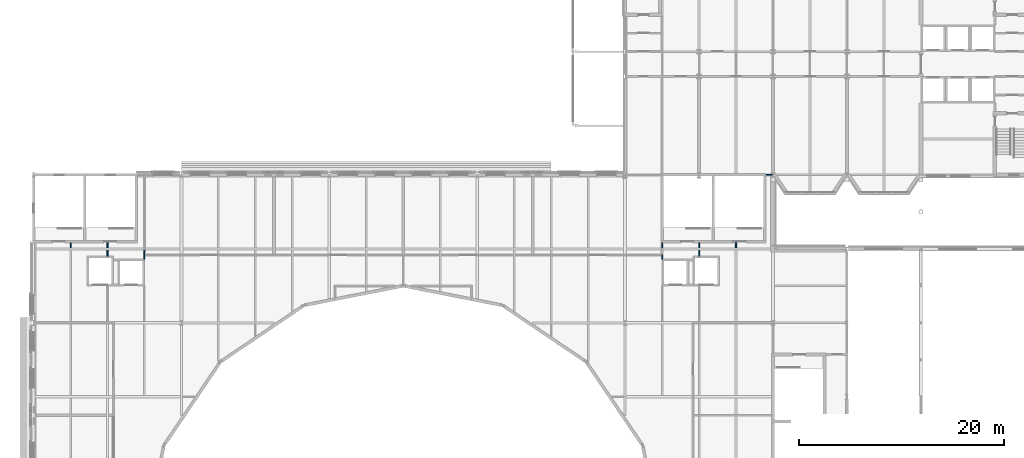
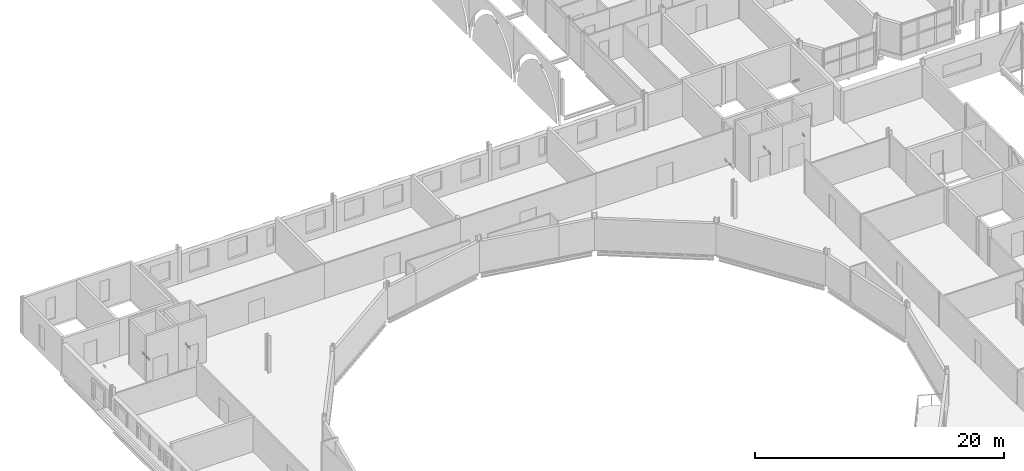
# One storey, part 82 of 142: 10 beams.
"""IFC4 building model written with IfcOpenShell, lengths in metres."""

import ifcopenshell
import ifcopenshell.guid

model = None  # the IFC model being written
_history = None  # IfcOwnerHistory: only IFC2X3 demands one
_inside = {}  # id of a spatial element -> (the spatial element, [elements in it])
_under = {}  # id of a project, library or spatial element -> (it, [spatial elements below it])
_declared = {}  # id of a project -> (the project, [libraries it declares])
_typed = {}  # id of a type object -> (the type object, [elements of that type])
_made_of = {}  # id of a material, layer set ... -> (it, [elements and type objects made of it])


def new_model(schema):
    """Start an empty IFC model of exactly this schema.

    Asked for "IFC4X3", IfcOpenShell would pick the latest addendum, in which some entities
    have other attributes; the version numbers below select the first issue.
    IFC2X3 requires an IfcOwnerHistory on every rooted entity: one is made here for all.
    """
    global model, _history
    if schema == "IFC4X3":
        model = ifcopenshell.file(schema_version=(4, 3, 0, 0))
    else:
        model = ifcopenshell.file(schema=schema)
    _inside.clear()
    _under.clear()
    _declared.clear()
    _typed.clear()
    _made_of.clear()
    _history = None
    if model.schema == "IFC2X3":
        org = make("IfcOrganization", Name="unknown")
        user = make(
            "IfcPersonAndOrganization",
            ThePerson=make("IfcPerson", FamilyName="unknown"),
            TheOrganization=org,
        )
        app = make(
            "IfcApplication",
            ApplicationDeveloper=org,
            Version="unknown",
            ApplicationFullName="unknown",
            ApplicationIdentifier="unknown",
        )
        _history = make(
            "IfcOwnerHistory",
            OwningUser=user,
            OwningApplication=app,
            ChangeAction="ADDED",
            CreationDate=0,
        )
    return model


def make(cls, **values):
    """One entity of the class cls with the attributes given. An attribute that is None is left unset."""
    return model.create_entity(
        cls, **{name: value for name, value in values.items() if value is not None}
    )


def rooted(cls, **values):
    """An entity with a GlobalId (a new one), such as an element, a storey or a relation."""
    return make(cls, GlobalId=ifcopenshell.guid.new(), OwnerHistory=_history, **values)


def si_unit(unit_type, name, prefix=None):
    """IfcSIUnit, for example si_unit("LENGTHUNIT", "METRE", prefix="MILLI")."""
    return make("IfcSIUnit", UnitType=unit_type, Prefix=prefix, Name=name)


def assignment(units):
    """IfcUnitAssignment: the units of a project."""
    return None if units is None else make("IfcUnitAssignment", Units=units)


def point(xyz):
    """IfcCartesianPoint."""
    return None if xyz is None else make("IfcCartesianPoint", Coordinates=xyz)


def direction(xyz):
    """IfcDirection."""
    return None if xyz is None else make("IfcDirection", DirectionRatios=xyz)


def frame(location, z_axis=None, x_axis=None):
    """IfcAxis2Placement3D, a coordinate frame: its origin and axes. An axis left out is left unset."""
    return make(
        "IfcAxis2Placement3D",
        Location=point(location),
        Axis=direction(z_axis),
        RefDirection=direction(x_axis),
    )


def frame_2d(location, x_axis=None):
    """IfcAxis2Placement2D, a coordinate frame in the plane: its origin and x axis."""
    return make(
        "IfcAxis2Placement2D", Location=point(location), RefDirection=direction(x_axis)
    )


def origin():
    """The frame at (0, 0, 0) with its axes left unset."""
    return frame((0.0, 0.0, 0.0))


def origin_2d():
    """The frame at (0, 0) in the plane with its x axis left unset."""
    return frame_2d((0.0, 0.0))


def place(relative_to, where):
    """IfcLocalPlacement: puts the frame where relative to a parent placement (None: the world)."""
    return make(
        "IfcLocalPlacement", PlacementRelTo=relative_to, RelativePlacement=where
    )


def context(
    kind, dimensions, precision=None, world=None, true_north=None, identifier=None
):
    """IfcGeometricRepresentationContext, for example the 3D "Model" context."""
    return make(
        "IfcGeometricRepresentationContext",
        ContextIdentifier=identifier,
        ContextType=kind,
        CoordinateSpaceDimension=dimensions,
        Precision=precision,
        WorldCoordinateSystem=world,
        TrueNorth=true_north,
    )


def subcontext(parent, identifier, kind, view, scale=None):
    """IfcGeometricRepresentationSubContext, for example "Body" below "Model"."""
    return make(
        "IfcGeometricRepresentationSubContext",
        ContextIdentifier=identifier,
        ContextType=kind,
        ParentContext=parent,
        TargetScale=scale,
        TargetView=view,
    )


def project(units=None, contexts=None):
    """IfcProject with its units and contexts."""
    return rooted(
        "IfcProject",
        Name="project",
        RepresentationContexts=contexts,
        UnitsInContext=assignment(units),
    )


def spatial(cls, under=None, at=None, **own):
    """A site, building, storey or space (cls), placed at a placement, below another one or the project."""
    s = rooted(cls, ObjectPlacement=at, **own)
    if under is not None:
        _under.setdefault(under.id(), (under, []))[1].append(s)
    return s


def profile(cls, at=None, kind="AREA", **sizes):
    """A parametric profile (cls). Its sizes go by their IFC names, for example OverallWidth=200.0."""
    return make(cls, ProfileType=kind, Position=at, **sizes)


def i_section(**sizes):
    """IfcIShapeProfileDef."""
    return profile("IfcIShapeProfileDef", **sizes)


def extrude(swept, where, along, depth):
    """IfcExtrudedAreaSolid: the profile swept, set in the frame where, extruded along a direction by depth."""
    return make(
        "IfcExtrudedAreaSolid",
        SweptArea=swept,
        Position=where,
        ExtrudedDirection=direction(along),
        Depth=depth,
    )


def shape(context_of_items, identifier, shape_type, items):
    """IfcShapeRepresentation: the items that make up one representation, for example the "Body"."""
    return make(
        "IfcShapeRepresentation",
        ContextOfItems=context_of_items,
        RepresentationIdentifier=identifier,
        RepresentationType=shape_type,
        Items=items,
    )


def material(Name=None, Category=None):
    """IfcMaterial."""
    return make("IfcMaterial", Name=Name, Category=Category)


def material_profile(
    of_material, cross_section, Name=None, Category=None, Priority=None
):
    """IfcMaterialProfile: a cross section and its material."""
    return make(
        "IfcMaterialProfile",
        Name=Name,
        Material=of_material,
        Profile=cross_section,
        Priority=Priority,
        Category=Category,
    )


def profile_set(profiles, Name=None, composite=None):
    """IfcMaterialProfileSet."""
    return make(
        "IfcMaterialProfileSet",
        Name=Name,
        MaterialProfiles=profiles,
        CompositeProfile=composite,
    )


def made_of(thing, what):
    """Note that an element or type object is made of a material, layer set ...; save() writes the relation."""
    if what is not None:
        _made_of.setdefault(what.id(), (what, []))[1].append(thing)
    return thing


def type_object(cls, material=None, **own):
    """A type object (cls), such as IfcWallType, which elements share."""
    return made_of(rooted(cls, **own), material)


def element(
    cls,
    number,
    at=None,
    inside=None,
    cuts=None,
    type_object=None,
    material=None,
    context=None,
    identifier="Body",
    shape_type=None,
    held_by="IfcProductDefinitionShape",
    body=None,
    shapes=None,
    **own,
):
    """One element of the class cls, such as IfcWall. Its Tag is "e" and its number.

    at: its placement. inside: the storey or other place that contains it. cuts: it is an
    opening in that element (IfcRelVoidsElement). A single representation is given by context,
    identifier, shape_type and body (its items); several are given by shapes. held_by: the class
    of the entity that holds the representations. save() writes the other relations.
    """
    e = rooted(cls, Tag="e%d" % number, ObjectPlacement=at, **own)
    if body is not None:
        shapes = [shape(context, identifier, shape_type, body)]
    if shapes is not None:
        e.Representation = make(held_by, Representations=shapes)
    if inside is not None:
        _inside.setdefault(inside.id(), (inside, []))[1].append(e)
    if cuts is not None:
        rooted(
            "IfcRelVoidsElement", RelatingBuildingElement=cuts, RelatedOpeningElement=e
        )
    if type_object is not None:
        _typed.setdefault(type_object.id(), (type_object, []))[1].append(e)
    return made_of(e, material)


def aggregate(whole, parts):
    """IfcRelAggregates: a whole, such as a stair, and the parts it consists of."""
    return rooted("IfcRelAggregates", RelatingObject=whole, RelatedObjects=parts)


def save(model, path):
    """Write the relations noted so far, then the file.

    IfcRelAggregates (storeys below a building ...), IfcRelContainedInSpatialStructure (elements
    in a storey), IfcRelDefinesByType, IfcRelAssociatesMaterial and IfcRelDeclares: one each for
    every whole, place, type object, material and project.
    """
    for whole, parts in _under.values():
        aggregate(whole, parts)
    for where, things in _inside.values():
        rooted(
            "IfcRelContainedInSpatialStructure",
            RelatedElements=things,
            RelatingStructure=where,
        )
    for kind, things in _typed.values():
        rooted("IfcRelDefinesByType", RelatedObjects=things, RelatingType=kind)
    for what, things in _made_of.values():
        rooted("IfcRelAssociatesMaterial", RelatedObjects=things, RelatingMaterial=what)
    for by, libraries in _declared.values():
        rooted("IfcRelDeclares", RelatingContext=by, RelatedDefinitions=libraries)
    model.write(path)


model = new_model("IFC4")

# Units and contexts
model_context = context("Model", 3, precision=1e-05, world=origin(), true_north=direction((0.0, 1.0)))
body_context = subcontext(model_context, "Body", "Model", "MODEL_VIEW")
ifc_project = project(units=[si_unit("LENGTHUNIT", "METRE"), si_unit("AREAUNIT", "SQUARE_METRE"), si_unit("VOLUMEUNIT", "CUBIC_METRE"), si_unit("PLANEANGLEUNIT", "RADIAN"), si_unit("MASSUNIT", "GRAM", prefix="KILO")], contexts=[model_context])

# Site, building, storey
site_placement = place(None, origin())
site = spatial("IfcSite", under=ifc_project, at=site_placement, CompositionType="ELEMENT")
building_placement = place(site_placement, origin())
building = spatial("IfcBuilding", under=site, at=building_placement, Name="Kupolbacken Congress Centre", CompositionType="ELEMENT")
storey_placement = place(building_placement, frame((0.0, 0.0, 14.39990234375)))
storey = spatial("IfcBuildingStorey", under=building, at=storey_placement, Name="L04", CompositionType="ELEMENT", Elevation=14.39990234375)

# Beams
ifc_material = material(Name="Steel S355", Category="steel")
ifc_material_profile = material_profile(ifc_material, i_section(OverallWidth=0.10009765625, OverallDepth=0.199951171875, WebThickness=0.005615234375, FlangeThickness=0.008544921875, FilletRadius=0.011962890625, at=origin_2d()), Name="IPE 200")
ifc_profile_set = profile_set([ifc_material_profile], Name="Steel S355")
beam_type = type_object("IfcBeamType", Name="B01 beam IPE 200", PredefinedType="BEAM", material=ifc_profile_set)
beam_1_placement = place(storey_placement, frame((78.52490234375, 122.39990234375, -0.27978515625), z_axis=(1.0, 0.0, 0.0), x_axis=(0.0, 1.0, 0.0)))
element("IfcBeam", 1, at=beam_1_placement, inside=storey, type_object=beam_type, Name="S/floor/P/L04/R075", PredefinedType="BEAM", context=body_context, shape_type="SweptSolid", body=[
    extrude(i_section(OverallWidth=0.10009765625, OverallDepth=0.199951171875, WebThickness=0.005615234375, FlangeThickness=0.008544921875, FilletRadius=0.011962890625, at=origin_2d()), origin(), (0.0, 0.0, 1.0), 0.66455078125),
])
beam_2_placement = place(storey_placement, frame((10.800048828125, 115.31005859375, -0.27978515625), z_axis=(0.0, 1.0, 0.0), x_axis=(-1.0, 0.0, 0.0)))
element("IfcBeam", 2, at=beam_2_placement, inside=storey, type_object=beam_type, Name="S/floor/P/L04/S084", PredefinedType="BEAM", context=body_context, shape_type="SweptSolid", body=[
    extrude(i_section(OverallWidth=0.10009765625, OverallDepth=0.199951171875, WebThickness=0.005615234375, FlangeThickness=0.008544921875, FilletRadius=0.011962890625, at=origin_2d()), origin(), (0.0, 0.0, 1.0), 0.46484375),
])
beam_3_placement = place(storey_placement, frame((14.39990234375, 114.5, -0.27978515625), z_axis=(0.0, 1.0, 0.0), x_axis=(-1.0, 0.0, 0.0)))
element("IfcBeam", 3, at=beam_3_placement, inside=storey, type_object=beam_type, Name="S/floor/P/L04/S094", PredefinedType="BEAM", context=body_context, shape_type="SweptSolid", body=[
    extrude(i_section(OverallWidth=0.10009765625, OverallDepth=0.199951171875, WebThickness=0.005615234375, FlangeThickness=0.008544921875, FilletRadius=0.011962890625, at=origin_2d()), origin(), (0.0, 0.0, 1.0), 0.590087890625),
])
beam_4_placement = place(storey_placement, frame((14.39990234375, 115.31005859375, -0.27978515625), z_axis=(0.0, 1.0, 0.0), x_axis=(-1.0, 0.0, 0.0)))
element("IfcBeam", 4, at=beam_4_placement, inside=storey, type_object=beam_type, Name="S/floor/P/L04/S095", PredefinedType="BEAM", context=body_context, shape_type="SweptSolid", body=[
    extrude(i_section(OverallWidth=0.10009765625, OverallDepth=0.199951171875, WebThickness=0.005615234375, FlangeThickness=0.008544921875, FilletRadius=0.011962890625, at=origin_2d()), origin(), (0.0, 0.0, 1.0), 0.46484375),
])
beam_5_placement = place(storey_placement, frame((72.0, 114.5, -0.27978515625), z_axis=(0.0, 1.0, 0.0), x_axis=(-1.0, 0.0, 0.0)))
element("IfcBeam", 5, at=beam_5_placement, inside=storey, type_object=beam_type, Name="S/floor/P/L04/S149", PredefinedType="BEAM", context=body_context, shape_type="SweptSolid", body=[
    extrude(i_section(OverallWidth=0.10009765625, OverallDepth=0.199951171875, WebThickness=0.005615234375, FlangeThickness=0.008544921875, FilletRadius=0.011962890625, at=origin_2d()), origin(), (0.0, 0.0, 1.0), 0.590087890625),
])
for number, where, z_axis, x_axis, name in (
    (6, (72.0, 115.31005859375, -0.27978515625), (0.0, 1.0, 0.0), (-1.0, 0.0, 0.0), "S/floor/P/L04/S150"),
    (7, (75.60009765625, 115.31005859375, -0.27978515625), (0.0, 1.0, 0.0), (-1.0, 0.0, 0.0), "S/floor/P/L04/S160"),
):
    element("IfcBeam", number, at=place(storey_placement, frame(where, z_axis=z_axis, x_axis=x_axis)), inside=storey, type_object=beam_type, Name=name, PredefinedType="BEAM", context=body_context, shape_type="SweptSolid", body=[
        extrude(i_section(OverallWidth=0.10009765625, OverallDepth=0.199951171875, WebThickness=0.005615234375, FlangeThickness=0.008544921875, FilletRadius=0.011962890625, at=origin_2d()), origin(), (0.0, 0.0, 1.0), 0.46484375),
    ])
for number, where, z_axis, x_axis, name in (
    (8, (18.0, 114.199951171875, -0.27978515625), (0.0, 1.0, 0.0), (-1.0, 0.0, 0.0), "S/floor/P/L04/S171"),
    (9, (68.39990234375, 114.199951171875, -0.27978515625), (0.0, 1.0, 0.0), (-1.0, 0.0, 0.0), "S/floor/P/L04/S175"),
):
    element("IfcBeam", number, at=place(storey_placement, frame(where, z_axis=z_axis, x_axis=x_axis)), inside=storey, type_object=beam_type, Name=name, PredefinedType="BEAM", context=body_context, shape_type="SweptSolid", body=[
        extrude(i_section(OverallWidth=0.10009765625, OverallDepth=0.199951171875, WebThickness=0.005615234375, FlangeThickness=0.008544921875, FilletRadius=0.011962890625, at=origin_2d()), origin(), (0.0, 0.0, 1.0), 0.89013671875),
    ])
beam_6_placement = place(storey_placement, frame((68.39990234375, 115.31005859375, -0.27978515625), z_axis=(0.0, 1.0, 0.0), x_axis=(-1.0, 0.0, 0.0)))
element("IfcBeam", 10, at=beam_6_placement, inside=storey, type_object=beam_type, Name="S/floor/P/L04/S176", PredefinedType="BEAM", context=body_context, shape_type="SweptSolid", body=[
    extrude(i_section(OverallWidth=0.10009765625, OverallDepth=0.199951171875, WebThickness=0.005615234375, FlangeThickness=0.008544921875, FilletRadius=0.011962890625, at=origin_2d()), origin(), (0.0, 0.0, 1.0), 0.46484375),
])

save(model, "model.ifc")
